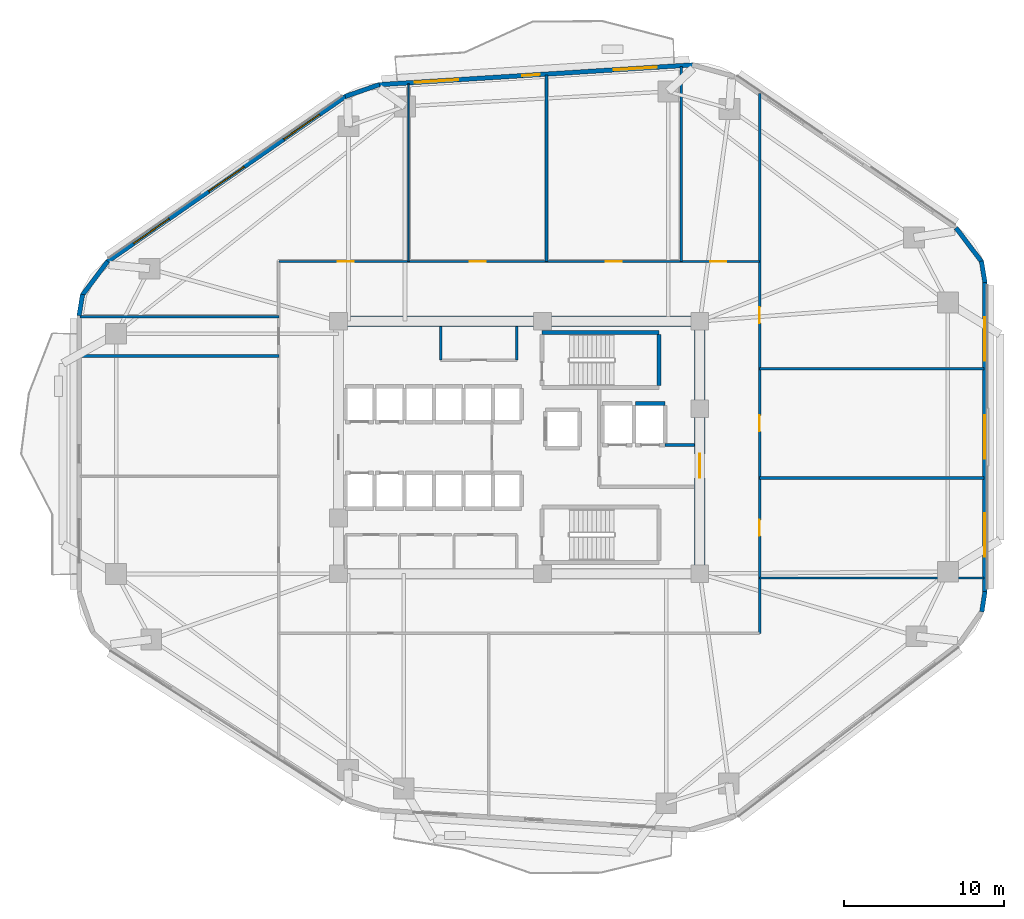
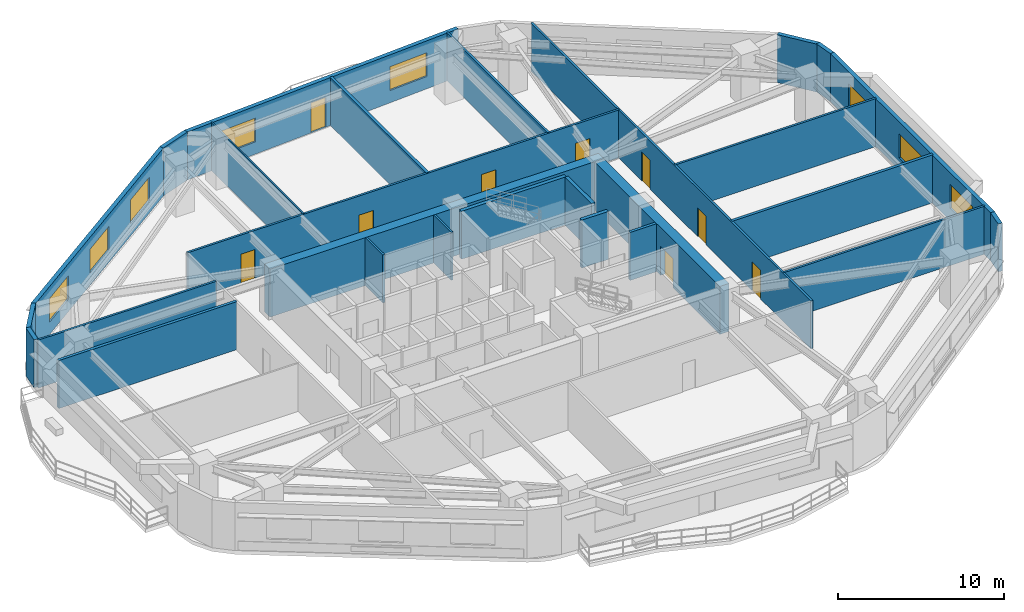
# One storey, part 5 of 9: 27 walls, 9 doors, 8 windows, 17 openings.
"""IFC4 building model written with IfcOpenShell, lengths in metres."""

from ifc_helpers import new_model, si_unit, direction, frame, frame_2d, origin, place, context, subcontext, project, spatial, rectangle, extrude, material, layer, layer_set, type_object, element, fill, save


model = new_model("IFC4")

# Units and contexts
model_context = context("Model", 3, precision=1e-05, world=origin(), true_north=direction((0.0, 1.0)))
body_context = subcontext(model_context, "Body", "Model", "MODEL_VIEW")
ifc_project = project(units=[si_unit("LENGTHUNIT", "METRE"), si_unit("AREAUNIT", "SQUARE_METRE"), si_unit("VOLUMEUNIT", "CUBIC_METRE"), si_unit("PLANEANGLEUNIT", "RADIAN"), si_unit("MASSUNIT", "GRAM", prefix="KILO")], contexts=[model_context])

# Site, building, storey
site_placement = place(None, origin())
site = spatial("IfcSite", under=ifc_project, at=site_placement, CompositionType="ELEMENT")
building_placement = place(site_placement, origin())
building = spatial("IfcBuilding", under=site, at=building_placement, Name="Zulverin Broadcast Headquarters", CompositionType="ELEMENT")
storey_placement = place(building_placement, frame((0.0, 0.0, 51.60009765625)))
storey = spatial("IfcBuildingStorey", under=building, at=storey_placement, Name="L12", CompositionType="ELEMENT", Elevation=51.60009765625)

# Walls
ifc_material_1 = material(Name="Acoustic drywall steel stud", Category="steel")
ifc_layer_1 = layer(ifc_material_1, 0.199951171875, Name="Acoustic drywall steel stud", Category="steel")
ifc_layer_set_1 = layer_set([ifc_layer_1], Name="Acoustic drywall steel stud")
wall_type_1 = type_object("IfcWallType", Name="WL-ACOU-200", PredefinedType="PARTITIONING", material=ifc_layer_set_1)
wall_1_placement = place(storey_placement, frame((38.699951171875, 36.800048828125, 0.0), z_axis=(0.0, 0.0, 1.0), x_axis=(0.0, 1.0, 0.0)))
element("IfcWall", 1, at=wall_1_placement, inside=storey, type_object=wall_type_1, Name="L12 Room Partition Wall RP-03", PredefinedType="PARTITIONING", context=body_context, shape_type="SweptSolid", body=[
    extrude(rectangle(XDim=11.628662109375, YDim=0.199951171875, at=frame_2d((5.814453125, 0.0))), origin(), (0.0, 0.0, 1.0), 3.52490234375),
])
wall_2_placement = place(storey_placement, frame((52.0, 23.300048828125, 0.0), z_axis=(0.0, 0.0, 1.0), x_axis=(1.0, 0.0, 0.0)))
element("IfcWall", 2, at=wall_2_placement, inside=storey, type_object=wall_type_1, Name="L12 Room Partition Wall RP-09", PredefinedType="PARTITIONING", context=body_context, shape_type="SweptSolid", body=[
    extrude(rectangle(XDim=13.9951171875, YDim=0.199951171875, at=frame_2d((6.99755859375, 0.0))), origin(), (0.0, 0.0, 1.0), 3.52490234375),
])
wall_3_placement = place(storey_placement, frame((9.60498046875, 30.89990234375, 0.0), z_axis=(0.0, 0.0, 1.0), x_axis=(1.0, 0.0, 0.0)))
element("IfcWall", 3, at=wall_3_placement, inside=storey, type_object=wall_type_1, Name="L12 Room Partition Wall RP-12", PredefinedType="PARTITIONING", context=body_context, shape_type="SweptSolid", body=[
    extrude(rectangle(XDim=12.39501953125, YDim=0.199951171875, at=frame_2d((6.197509765625, 0.0))), origin(), (0.0, 0.0, 1.0), 3.52490234375),
])
ifc_material_2 = material(Name="Concrete C60/75", Category="concrete")
ifc_layer_2 = layer(ifc_material_2, 0.64990234375, Name="Concrete C60/75", Category="concrete")
ifc_layer_set_2 = layer_set([ifc_layer_2], Name="Concrete C60/75")
wall_type_2 = type_object("IfcWallType", Name="WL-CORE-650", PredefinedType="SHEAR", material=ifc_layer_set_2)
wall_4_placement = place(storey_placement, frame((25.39990234375, 33.074951171875, 0.0), z_axis=(0.0, 0.0, 1.0), x_axis=(1.0, 0.0, 0.0)))
element("IfcWall", 4, at=wall_4_placement, inside=storey, type_object=wall_type_2, Name="L12 Core North Shear Wall", PredefinedType="SHEAR", context=body_context, shape_type="SweptSolid", body=[
    extrude(rectangle(XDim=23.2001953125, YDim=0.64990234375, at=frame_2d((11.60009765625, 0.0))), origin(), (0.0, 0.0, 1.0), 3.52490234375),
])

# Wall, opening, door
wall_5_placement = place(storey_placement, frame((48.27490234375, 17.64990234375, 0.0), z_axis=(0.0, 0.0, 1.0), x_axis=(0.0, 1.0, 0.0)))
wall_5 = element("IfcWall", 5, at=wall_5_placement, inside=storey, type_object=wall_type_2, Name="L12 Core East Shear Wall", PredefinedType="SHEAR", context=body_context, shape_type="SweptSolid", body=[
    extrude(rectangle(XDim=15.10009765625, YDim=0.64990234375, at=frame_2d((7.550048828125, 0.0))), origin(), (0.0, 0.0, 1.0), 3.52490234375),
])
opening_1_placement = place(wall_5_placement, frame((5.64990234375, 0.0, 0.0)))
opening_1 = element("IfcOpeningElement", 6, at=opening_1_placement, cuts=wall_5, Name="Opening D-L12-CE1", PredefinedType="OPENING", context=body_context, shape_type="SweptSolid", body=[
    extrude(rectangle(XDim=1.5, YDim=2.14990234375, at=frame_2d((0.75, 1.074951171875))), frame((0.0, 0.3349609375, 0.0), z_axis=(0.0, -1.0, 0.0), x_axis=(1.0, 0.0, 0.0)), (0.0, 0.0, 1.0), 0.669921875),
])
ifc_material_3 = material(Name="Fire-rated glazed steel frame", Category="steel")
door_type_1 = type_object("IfcDoorType", Name="DR-COR-1500", OperationType="DOUBLE_DOOR_SINGLE_SWING", PredefinedType="DOOR", material=ifc_material_3)
door_1_placement = place(opening_1_placement, origin())
door_1 = element("IfcDoor", 7, at=door_1_placement, inside=storey, type_object=door_type_1, Name="L12 Firefighting Lobby East Corridor Door", OperationType="DOUBLE_DOOR_SINGLE_SWING", OverallHeight=2.14990234375, OverallWidth=1.5, PredefinedType="DOOR", context=body_context, shape_type="SweptSolid", body=[
    extrude(rectangle(XDim=1.5, YDim=2.14990234375, at=frame_2d((0.75, 1.074951171875))), frame((0.0, 0.02490234375, 0.0), z_axis=(0.0, -1.0, 0.0), x_axis=(1.0, 0.0, 0.0)), (0.0, 0.0, 1.0), 0.050048828125),
])
fill(opening_1, door_1)

# Wall, openings, windows
ifc_material_4 = material(Name="Insulated pale-metal clad concrete spandrel C40/50", Category="concrete")
ifc_layer_3 = layer(ifc_material_4, 0.280029296875, Name="Insulated pale-metal clad concrete spandrel C40/50", Category="concrete")
ifc_layer_set_3 = layer_set([ifc_layer_3], Name="Insulated pale-metal clad concrete spandrel C40/50")
wall_type_3 = type_object("IfcWallType", Name="WL-EXT-280", PredefinedType="STANDARD", material=ifc_layer_set_3)
wall_6_placement = place(storey_placement, frame((66.06005859375, 16.183349609375, 0.0), z_axis=(0.0, 0.0, 1.0), x_axis=(0.0, 1.0, 0.0)))
wall_6 = element("IfcWall", 8, at=wall_6_placement, inside=storey, type_object=wall_type_3, Name="L12 Pale-Metal Clad Spandrel Wall 3", PredefinedType="STANDARD", context=body_context, shape_type="SweptSolid", body=[
    extrude(rectangle(XDim=19.3310546875, YDim=0.280029296875, at=frame_2d((9.66552734375, 0.0))), origin(), (0.0, 0.0, 1.0), 3.52490234375),
])
opening_2_placement = place(wall_6_placement, frame((2.205078125, 0.0, 0.89990234375)))
opening_2 = element("IfcOpeningElement", 9, at=opening_2_placement, cuts=wall_6, Name="Opening W-L12-E31", PredefinedType="OPENING", context=body_context, shape_type="SweptSolid", body=[
    extrude(rectangle(XDim=2.699951171875, YDim=1.75, at=frame_2d((1.35009765625, 0.875))), frame((0.0, 0.14990234375, 0.0), z_axis=(0.0, -1.0, 0.0), x_axis=(1.0, 0.0, 0.0)), (0.0, 0.0, 1.0), 0.300048828125),
])
opening_3_placement = place(wall_6_placement, frame((8.3154296875, 0.0, 0.89990234375)))
opening_3 = element("IfcOpeningElement", 10, at=opening_3_placement, cuts=wall_6, Name="Opening W-L12-E32", PredefinedType="OPENING", context=body_context, shape_type="SweptSolid", body=[
    extrude(rectangle(XDim=2.699951171875, YDim=1.75, at=frame_2d((1.35009765625, 0.875))), frame((0.0, 0.14990234375, 0.0), z_axis=(0.0, -1.0, 0.0), x_axis=(1.0, 0.0, 0.0)), (0.0, 0.0, 1.0), 0.300048828125),
])
opening_4_placement = place(wall_6_placement, frame((14.42578125, 0.0, 0.89990234375)))
opening_4 = element("IfcOpeningElement", 11, at=opening_4_placement, cuts=wall_6, Name="Opening W-L12-E33", PredefinedType="OPENING", context=body_context, shape_type="SweptSolid", body=[
    extrude(rectangle(XDim=2.699951171875, YDim=1.75, at=frame_2d((1.35009765625, 0.875))), frame((0.0, 0.14990234375, 0.0), z_axis=(0.0, -1.0, 0.0), x_axis=(1.0, 0.0, 0.0)), (0.0, 0.0, 1.0), 0.300048828125),
])
ifc_material_5 = material(Name="Pale anodized aluminium frame with solar-control low-E double glazing", Category="aluminium")
window_type = type_object("IfcWindowType", Name="WIN-TWR-2700", PartitioningType="SINGLE_PANEL", PredefinedType="WINDOW", material=ifc_material_5)
window_1_placement = place(opening_2_placement, origin())
window_1 = element("IfcWindow", 12, at=window_1_placement, inside=storey, type_object=window_type, Name="L12 Ribbon Glazing Window 3 1", OverallHeight=1.75, OverallWidth=2.699951171875, PartitioningType="SINGLE_PANEL", PredefinedType="WINDOW", context=body_context, shape_type="SweptSolid", body=[
    extrude(rectangle(XDim=2.699951171875, YDim=1.75, at=frame_2d((1.35009765625, 0.875))), frame((0.0, 0.030029296875, 0.0), z_axis=(0.0, -1.0, 0.0), x_axis=(1.0, 0.0, 0.0)), (0.0, 0.0, 1.0), 0.06005859375),
])
fill(opening_2, window_1)
window_2_placement = place(opening_3_placement, origin())
window_2 = element("IfcWindow", 13, at=window_2_placement, inside=storey, type_object=window_type, Name="L12 Ribbon Glazing Window 3 2", OverallHeight=1.75, OverallWidth=2.699951171875, PartitioningType="SINGLE_PANEL", PredefinedType="WINDOW", context=body_context, shape_type="SweptSolid", body=[
    extrude(rectangle(XDim=2.699951171875, YDim=1.75, at=frame_2d((1.35009765625, 0.875))), frame((0.0, 0.030029296875, 0.0), z_axis=(0.0, -1.0, 0.0), x_axis=(1.0, 0.0, 0.0)), (0.0, 0.0, 1.0), 0.06005859375),
])
fill(opening_3, window_2)
window_3_placement = place(opening_4_placement, origin())
window_3 = element("IfcWindow", 14, at=window_3_placement, inside=storey, type_object=window_type, Name="L12 Ribbon Glazing Window 3 3", OverallHeight=1.75, OverallWidth=2.699951171875, PartitioningType="SINGLE_PANEL", PredefinedType="WINDOW", context=body_context, shape_type="SweptSolid", body=[
    extrude(rectangle(XDim=2.699951171875, YDim=1.75, at=frame_2d((1.35009765625, 0.875))), frame((0.0, 0.030029296875, 0.0), z_axis=(0.0, -1.0, 0.0), x_axis=(1.0, 0.0, 0.0)), (0.0, 0.0, 1.0), 0.06005859375),
])
fill(opening_4, window_3)

# Wall, openings, door, windows
wall_7_placement = place(storey_placement, frame((47.831787109375, 49.0693359375, 0.0), z_axis=(0.0, 0.0, 1.0), x_axis=(-0.998017725054, -0.062933460723, 0.0)))
wall_7 = element("IfcWall", 15, at=wall_7_placement, inside=storey, type_object=wall_type_3, Name="L12 Pale-Metal Clad Spandrel Wall 5", PredefinedType="STANDARD", context=body_context, shape_type="SweptSolid", body=[
    extrude(rectangle(XDim=19.62939453125, YDim=0.280029296875, at=frame_2d((9.814697265625, 0.0))), origin(), (0.0, 0.0, 1.0), 3.52490234375),
])
opening_5_placement = place(wall_7_placement, frame((9.564697265625, 0.0, 0.0)))
opening_5 = element("IfcOpeningElement", 16, at=opening_5_placement, cuts=wall_7, Name="Opening D-L12-TR5", PredefinedType="OPENING", context=body_context, shape_type="SweptSolid", body=[
    extrude(rectangle(XDim=1.10009765625, YDim=2.199951171875, at=frame_2d((0.550048828125, 1.10009765625))), frame((0.0, 0.14990234375, 0.0), z_axis=(0.0, -1.0, 0.0), x_axis=(1.0, 0.0, 0.0)), (0.0, 0.0, 1.0), 0.300048828125),
])
opening_6_placement = place(wall_7_placement, frame((2.2548828125, 0.0, 0.89990234375)))
opening_6 = element("IfcOpeningElement", 17, at=opening_6_placement, cuts=wall_7, Name="Opening W-L12-E51", PredefinedType="OPENING", context=body_context, shape_type="SweptSolid", body=[
    extrude(rectangle(XDim=2.699951171875, YDim=1.75, at=frame_2d((1.35009765625, 0.875))), frame((0.0, 0.14990234375, 0.0), z_axis=(0.0, -1.0, 0.0), x_axis=(1.0, 0.0, 0.0)), (0.0, 0.0, 1.0), 0.300048828125),
])
opening_7_placement = place(wall_7_placement, frame((14.674560546875, 0.0, 0.89990234375)))
opening_7 = element("IfcOpeningElement", 18, at=opening_7_placement, cuts=wall_7, Name="Opening W-L12-E52", PredefinedType="OPENING", context=body_context, shape_type="SweptSolid", body=[
    extrude(rectangle(XDim=2.699951171875, YDim=1.75, at=frame_2d((1.35009765625, 0.875))), frame((0.0, 0.14990234375, 0.0), z_axis=(0.0, -1.0, 0.0), x_axis=(1.0, 0.0, 0.0)), (0.0, 0.0, 1.0), 0.300048828125),
])
ifc_material_6 = material(Name="Thermally broken aluminium glazed", Category="aluminium")
door_type_2 = type_object("IfcDoorType", Name="DR-TERR-1100", OperationType="SINGLE_SWING_RIGHT", PredefinedType="DOOR", material=ifc_material_6)
door_2_placement = place(opening_5_placement, origin())
door_2 = element("IfcDoor", 19, at=door_2_placement, inside=storey, type_object=door_type_2, Name="L12 Planted Terrace Glazed Access Door 5", OperationType="SINGLE_SWING_RIGHT", OverallHeight=2.199951171875, OverallWidth=1.10009765625, PredefinedType="DOOR", context=body_context, shape_type="SweptSolid", body=[
    extrude(rectangle(XDim=1.10009765625, YDim=2.199951171875, at=frame_2d((0.550048828125, 1.10009765625))), frame((0.0, 0.02490234375, 0.0), z_axis=(0.0, -1.0, 0.0), x_axis=(1.0, 0.0, 0.0)), (0.0, 0.0, 1.0), 0.050048828125),
])
fill(opening_5, door_2)
window_4_placement = place(opening_6_placement, origin())
window_4 = element("IfcWindow", 20, at=window_4_placement, inside=storey, type_object=window_type, Name="L12 Ribbon Glazing Window 5 1", OverallHeight=1.75, OverallWidth=2.699951171875, PartitioningType="SINGLE_PANEL", PredefinedType="WINDOW", context=body_context, shape_type="SweptSolid", body=[
    extrude(rectangle(XDim=2.699951171875, YDim=1.75, at=frame_2d((1.35009765625, 0.875))), frame((0.0, 0.030029296875, 0.0), z_axis=(0.0, -1.0, 0.0), x_axis=(1.0, 0.0, 0.0)), (0.0, 0.0, 1.0), 0.06005859375),
])
fill(opening_6, window_4)
window_5_placement = place(opening_7_placement, origin())
window_5 = element("IfcWindow", 21, at=window_5_placement, inside=storey, type_object=window_type, Name="L12 Ribbon Glazing Window 5 2", OverallHeight=1.75, OverallWidth=2.699951171875, PartitioningType="SINGLE_PANEL", PredefinedType="WINDOW", context=body_context, shape_type="SweptSolid", body=[
    extrude(rectangle(XDim=2.699951171875, YDim=1.75, at=frame_2d((1.35009765625, 0.875))), frame((0.0, 0.030029296875, 0.0), z_axis=(0.0, -1.0, 0.0), x_axis=(1.0, 0.0, 0.0)), (0.0, 0.0, 1.0), 0.06005859375),
])
fill(opening_7, window_5)

# Wall, openings, windows
wall_8_placement = place(storey_placement, frame((26.181884765625, 47.11767578125, 0.0), z_axis=(0.0, 0.0, 1.0), x_axis=(-0.821547956627, -0.570139417127, 0.0)))
wall_8 = element("IfcWall", 22, at=wall_8_placement, inside=storey, type_object=wall_type_3, Name="L12 Pale-Metal Clad Spandrel Wall 6", PredefinedType="STANDARD", context=body_context, shape_type="SweptSolid", body=[
    extrude(rectangle(XDim=18.13232421875, YDim=0.280029296875, at=frame_2d((9.066162109375, 0.0))), origin(), (0.0, 0.0, 1.0), 3.52490234375),
])
opening_8_placement = place(wall_8_placement, frame((2.00537109375, 0.0, 0.89990234375)))
opening_8 = element("IfcOpeningElement", 23, at=opening_8_placement, cuts=wall_8, Name="Opening W-L12-E61", PredefinedType="OPENING", context=body_context, shape_type="SweptSolid", body=[
    extrude(rectangle(XDim=2.699951171875, YDim=1.75, at=frame_2d((1.35009765625, 0.875))), frame((0.0, 0.14990234375, 0.0), z_axis=(0.0, -1.0, 0.0), x_axis=(1.0, 0.0, 0.0)), (0.0, 0.0, 1.0), 0.300048828125),
])
opening_9_placement = place(wall_8_placement, frame((7.716064453125, 0.0, 0.89990234375)))
opening_9 = element("IfcOpeningElement", 24, at=opening_9_placement, cuts=wall_8, Name="Opening W-L12-E62", PredefinedType="OPENING", context=body_context, shape_type="SweptSolid", body=[
    extrude(rectangle(XDim=2.699951171875, YDim=1.75, at=frame_2d((1.35009765625, 0.875))), frame((0.0, 0.14990234375, 0.0), z_axis=(0.0, -1.0, 0.0), x_axis=(1.0, 0.0, 0.0)), (0.0, 0.0, 1.0), 0.300048828125),
])
opening_10_placement = place(wall_8_placement, frame((13.427001953125, 0.0, 0.89990234375)))
opening_10 = element("IfcOpeningElement", 25, at=opening_10_placement, cuts=wall_8, Name="Opening W-L12-E63", PredefinedType="OPENING", context=body_context, shape_type="SweptSolid", body=[
    extrude(rectangle(XDim=2.699951171875, YDim=1.75, at=frame_2d((1.35009765625, 0.875))), frame((0.0, 0.14990234375, 0.0), z_axis=(0.0, -1.0, 0.0), x_axis=(1.0, 0.0, 0.0)), (0.0, 0.0, 1.0), 0.300048828125),
])
window_6_placement = place(opening_8_placement, origin())
window_6 = element("IfcWindow", 26, at=window_6_placement, inside=storey, type_object=window_type, Name="L12 Ribbon Glazing Window 6 1", OverallHeight=1.75, OverallWidth=2.699951171875, PartitioningType="SINGLE_PANEL", PredefinedType="WINDOW", context=body_context, shape_type="SweptSolid", body=[
    extrude(rectangle(XDim=2.699951171875, YDim=1.75, at=frame_2d((1.35009765625, 0.875))), frame((0.0, 0.030029296875, 0.0), z_axis=(0.0, -1.0, 0.0), x_axis=(1.0, 0.0, 0.0)), (0.0, 0.0, 1.0), 0.06005859375),
])
fill(opening_8, window_6)
window_7_placement = place(opening_9_placement, origin())
window_7 = element("IfcWindow", 27, at=window_7_placement, inside=storey, type_object=window_type, Name="L12 Ribbon Glazing Window 6 2", OverallHeight=1.75, OverallWidth=2.699951171875, PartitioningType="SINGLE_PANEL", PredefinedType="WINDOW", context=body_context, shape_type="SweptSolid", body=[
    extrude(rectangle(XDim=2.699951171875, YDim=1.75, at=frame_2d((1.35009765625, 0.875))), frame((0.0, 0.030029296875, 0.0), z_axis=(0.0, -1.0, 0.0), x_axis=(1.0, 0.0, 0.0)), (0.0, 0.0, 1.0), 0.06005859375),
])
fill(opening_9, window_7)
window_8_placement = place(opening_10_placement, origin())
window_8 = element("IfcWindow", 28, at=window_8_placement, inside=storey, type_object=window_type, Name="L12 Ribbon Glazing Window 6 3", OverallHeight=1.75, OverallWidth=2.699951171875, PartitioningType="SINGLE_PANEL", PredefinedType="WINDOW", context=body_context, shape_type="SweptSolid", body=[
    extrude(rectangle(XDim=2.699951171875, YDim=1.75, at=frame_2d((1.35009765625, 0.875))), frame((0.0, 0.030029296875, 0.0), z_axis=(0.0, -1.0, 0.0), x_axis=(1.0, 0.0, 0.0)), (0.0, 0.0, 1.0), 0.06005859375),
])
fill(opening_10, window_8)

# Walls
wall_9_placement = place(storey_placement, frame((65.867431640625, 14.942626953125, 0.0), z_axis=(0.0, 0.0, 1.0), x_axis=(0.152014078361, 0.988378328364, 0.0)))
element("IfcWall", 29, at=wall_9_placement, inside=storey, type_object=wall_type_3, Name="L12 Wind-Shaped Corner Spandrel Wall 2-2", PredefinedType="STANDARD", context=body_context, shape_type="SweptSolid", body=[
    extrude(rectangle(XDim=1.27685546875, YDim=0.280029296875, at=frame_2d((0.638427734375, 0.0))), origin(), (0.0, 0.0, 1.0), 3.52490234375),
])
wall_10_placement = place(storey_placement, frame((66.061767578125, 35.491943359375, 0.0), z_axis=(0.0, 0.0, 1.0), x_axis=(-0.161182073582, 0.986924687682, 0.0)))
element("IfcWall", 30, at=wall_10_placement, inside=storey, type_object=wall_type_3, Name="L12 Wind-Shaped Corner Spandrel Wall 3-1", PredefinedType="STANDARD", context=body_context, shape_type="SweptSolid", body=[
    extrude(rectangle(XDim=1.354248046875, YDim=0.280029296875, at=frame_2d((0.67724609375, 0.0))), origin(), (0.0, 0.0, 1.0), 3.52490234375),
])
wall_11_placement = place(storey_placement, frame((65.8701171875, 36.7666015625, 0.0), z_axis=(0.0, 0.0, 1.0), x_axis=(-0.603370463754, 0.797461023166, 0.0)))
element("IfcWall", 31, at=wall_11_placement, inside=storey, type_object=wall_type_3, Name="L12 Wind-Shaped Corner Spandrel Wall 3-2", PredefinedType="STANDARD", context=body_context, shape_type="SweptSolid", body=[
    extrude(rectangle(XDim=2.6728515625, YDim=0.280029296875, at=frame_2d((1.33642578125, 0.0))), origin(), (0.0, 0.0, 1.0), 3.52490234375),
])
wall_12_placement = place(storey_placement, frame((28.2783203125, 47.841552734375, 0.0), z_axis=(0.0, 0.0, 1.0), x_axis=(-0.9444559001, -0.328638179106, 0.0)))
element("IfcWall", 32, at=wall_12_placement, inside=storey, type_object=wall_type_3, Name="L12 Wind-Shaped Corner Spandrel Wall 5-1", PredefinedType="STANDARD", context=body_context, shape_type="SweptSolid", body=[
    extrude(rectangle(XDim=2.25537109375, YDim=0.280029296875, at=frame_2d((1.127685546875, 0.0))), origin(), (0.0, 0.0, 1.0), 3.52490234375),
])
wall_13_placement = place(storey_placement, frame((11.317626953125, 36.81103515625, 0.0), z_axis=(0.0, 0.0, 1.0), x_axis=(-0.599455152629, -0.800408345775, 0.0)))
element("IfcWall", 33, at=wall_13_placement, inside=storey, type_object=wall_type_3, Name="L12 Wind-Shaped Corner Spandrel Wall 6-1", PredefinedType="STANDARD", context=body_context, shape_type="SweptSolid", body=[
    extrude(rectangle(XDim=2.6533203125, YDim=0.280029296875, at=frame_2d((1.32666015625, 0.0))), origin(), (0.0, 0.0, 1.0), 3.52490234375),
])
wall_14_placement = place(storey_placement, frame((9.753173828125, 34.748779296875, 0.0), z_axis=(0.0, 0.0, 1.0), x_axis=(-0.160037671962, -0.987110907423, 0.0)))
element("IfcWall", 34, at=wall_14_placement, inside=storey, type_object=wall_type_3, Name="L12 Wind-Shaped Corner Spandrel Wall 6-2", PredefinedType="STANDARD", context=body_context, shape_type="SweptSolid", body=[
    extrude(rectangle(XDim=1.343994140625, YDim=0.280029296875, at=frame_2d((0.671875, 0.0))), origin(), (0.0, 0.0, 1.0), 3.52490234375),
])
ifc_material_7 = material(Name="Concrete C40/50", Category="concrete")
ifc_layer_4 = layer(ifc_material_7, 0.199951171875, Name="Concrete C40/50", Category="concrete")
ifc_layer_set_4 = layer_set([ifc_layer_4], Name="Concrete C40/50")
wall_type_4 = type_object("IfcWallType", Name="WL-FFL-200", PredefinedType="SOLIDWALL", material=ifc_layer_set_4)
wall_15_placement = place(storey_placement, frame((46.10009765625, 25.35009765625, 0.0), z_axis=(0.0, 0.0, 1.0), x_axis=(1.0, 0.0, 0.0)))
element("IfcWall", 35, at=wall_15_placement, inside=storey, type_object=wall_type_4, Name="L12 Firefighting Lift Lobby North Wall", PredefinedType="SOLIDWALL", context=body_context, shape_type="SweptSolid", body=[
    extrude(rectangle(XDim=1.849853515625, YDim=0.199951171875, at=frame_2d((0.9248046875, 0.0))), origin(), (0.0, 0.0, 1.0), 3.52490234375),
])
ifc_material_8 = material(Name="Fire-rated acoustic laminated glass screen", Category="glass")
ifc_layer_5 = layer(ifc_material_8, 0.10009765625, Name="Fire-rated acoustic laminated glass screen", Category="glass")
ifc_layer_set_5 = layer_set([ifc_layer_5], Name="Fire-rated acoustic laminated glass screen")
wall_type_5 = type_object("IfcWallType", Name="WL-GLAZ-100", PredefinedType="PARTITIONING", material=ifc_layer_set_5)
wall_16_placement = place(storey_placement, frame((30.10009765625, 36.800048828125, 0.0), z_axis=(0.0, 0.0, 1.0), x_axis=(0.0, 1.0, 0.0)))
element("IfcWall", 36, at=wall_16_placement, inside=storey, type_object=wall_type_5, Name="L12 Room Partition Wall RP-05", PredefinedType="PARTITIONING", context=body_context, shape_type="SweptSolid", body=[
    extrude(rectangle(XDim=11.08642578125, YDim=0.10009765625, at=frame_2d((5.543212890625, 0.0))), origin(), (0.0, 0.0, 1.0), 3.52490234375),
])
ifc_material_9 = material(Name="Fire-rated gypsum stud partition", Category="gypsum")
ifc_layer_6 = layer(ifc_material_9, 0.14990234375, Name="Fire-rated gypsum stud partition", Category="gypsum")
ifc_layer_set_6 = layer_set([ifc_layer_6], Name="Fire-rated gypsum stud partition")
wall_type_6 = type_object("IfcWallType", Name="WL-PART-150", PredefinedType="PARTITIONING", material=ifc_layer_set_6)
for number, where, z_axis, x_axis, name in (
    (37, (32.10009765625, 30.64990234375, 0.0), (0.0, 0.0, 1.0), (0.0, 1.0, 0.0), "L12 Core Accessible WC & Electrical Riser West Wall"),
    (38, (36.85009765625, 30.64990234375, 0.0), (0.0, 0.0, 1.0), (0.0, 1.0, 0.0), "L12 Core Accessible WC & Electrical Riser East Wall"),
):
    element("IfcWall", number, at=place(storey_placement, frame(where, z_axis=z_axis, x_axis=x_axis)), inside=storey, type_object=wall_type_6, Name=name, PredefinedType="PARTITIONING", context=body_context, shape_type="SweptSolid", body=[
        extrude(rectangle(XDim=2.10009765625, YDim=0.14990234375, at=frame_2d((1.050048828125, 0.0))), origin(), (0.0, 0.0, 1.0), 3.52490234375),
    ])

# Wall, openings, doors
wall_17_placement = place(storey_placement, frame((52.0, 13.60009765625, 0.0), z_axis=(0.0, 0.0, 1.0), x_axis=(0.0, 1.0, 0.0)))
wall_17 = element("IfcWall", 39, at=wall_17_placement, inside=storey, type_object=wall_type_6, Name="L12 Gallery Partition Wall CG-01", PredefinedType="PARTITIONING", context=body_context, shape_type="SweptSolid", body=[
    extrude(rectangle(XDim=33.691162109375, YDim=0.14990234375, at=frame_2d((16.845703125, 0.0))), origin(), (0.0, 0.0, 1.0), 3.52490234375),
])
opening_11_placement = place(wall_17_placement, frame((6.074951171875, 0.0, 0.0)))
opening_11 = element("IfcOpeningElement", 40, at=opening_11_placement, cuts=wall_17, Name="Opening D-L12-10", PredefinedType="OPENING", context=body_context, shape_type="SweptSolid", body=[
    extrude(rectangle(XDim=1.0, YDim=2.1201171875, at=frame_2d((0.5, 1.06005859375))), frame((0.0, 0.0849609375, 0.0), z_axis=(0.0, -1.0, 0.0), x_axis=(1.0, 0.0, 0.0)), (0.0, 0.0, 1.0), 0.169921875),
])
opening_12_placement = place(wall_17_placement, frame((12.60009765625, 0.0, 0.0)))
opening_12 = element("IfcOpeningElement", 41, at=opening_12_placement, cuts=wall_17, Name="Opening D-L12-11", PredefinedType="OPENING", context=body_context, shape_type="SweptSolid", body=[
    extrude(rectangle(XDim=1.0, YDim=2.1201171875, at=frame_2d((0.5, 1.06005859375))), frame((0.0, 0.0849609375, 0.0), z_axis=(0.0, -1.0, 0.0), x_axis=(1.0, 0.0, 0.0)), (0.0, 0.0, 1.0), 0.169921875),
])
opening_13_placement = place(wall_17_placement, frame((19.35009765625, 0.0, 0.0)))
opening_13 = element("IfcOpeningElement", 42, at=opening_13_placement, cuts=wall_17, Name="Opening D-L12-12", PredefinedType="OPENING", context=body_context, shape_type="SweptSolid", body=[
    extrude(rectangle(XDim=1.0, YDim=2.1201171875, at=frame_2d((0.5, 1.06005859375))), frame((0.0, 0.0849609375, 0.0), z_axis=(0.0, -1.0, 0.0), x_axis=(1.0, 0.0, 0.0)), (0.0, 0.0, 1.0), 0.169921875),
])
ifc_material_10 = material(Name="Hardwood veneer acoustic leaf", Category="wood")
door_type_3 = type_object("IfcDoorType", Name="DR-OFF-1000", OperationType="SINGLE_SWING_LEFT", PredefinedType="DOOR", material=ifc_material_10)
door_3_placement = place(opening_11_placement, origin())
door_3 = element("IfcDoor", 43, at=door_3_placement, inside=storey, type_object=door_type_3, Name="L12 Spectrum Licensing Office Door", OperationType="SINGLE_SWING_LEFT", OverallHeight=2.1201171875, OverallWidth=1.0, PredefinedType="DOOR", context=body_context, shape_type="SweptSolid", body=[
    extrude(rectangle(XDim=1.0, YDim=2.1201171875, at=frame_2d((0.5, 1.06005859375))), frame((0.0, 0.02490234375, 0.0), z_axis=(0.0, -1.0, 0.0), x_axis=(1.0, 0.0, 0.0)), (0.0, 0.0, 1.0), 0.050048828125),
])
fill(opening_11, door_3)
door_4_placement = place(opening_12_placement, origin())
door_4 = element("IfcDoor", 44, at=door_4_placement, inside=storey, type_object=door_type_3, Name="L12 Broadcast Standards Office Door", OperationType="SINGLE_SWING_RIGHT", OverallHeight=2.1201171875, OverallWidth=1.0, PredefinedType="DOOR", context=body_context, shape_type="SweptSolid", body=[
    extrude(rectangle(XDim=1.0, YDim=2.1201171875, at=frame_2d((0.5, 1.06005859375))), frame((0.0, 0.02490234375, 0.0), z_axis=(0.0, -1.0, 0.0), x_axis=(1.0, 0.0, 0.0)), (0.0, 0.0, 1.0), 0.050048828125),
])
fill(opening_12, door_4)
door_5_placement = place(opening_13_placement, origin())
door_5 = element("IfcDoor", 45, at=door_5_placement, inside=storey, type_object=door_type_3, Name="L12 Transmission Engineering Office Door", OperationType="SINGLE_SWING_LEFT", OverallHeight=2.1201171875, OverallWidth=1.0, PredefinedType="DOOR", context=body_context, shape_type="SweptSolid", body=[
    extrude(rectangle(XDim=1.0, YDim=2.1201171875, at=frame_2d((0.5, 1.06005859375))), frame((0.0, 0.02490234375, 0.0), z_axis=(0.0, -1.0, 0.0), x_axis=(1.0, 0.0, 0.0)), (0.0, 0.0, 1.0), 0.050048828125),
])
fill(opening_13, door_5)

# Walls
wall_18_placement = place(storey_placement, frame((47.10009765625, 36.800048828125, 0.0), z_axis=(0.0, 0.0, 1.0), x_axis=(0.0, 1.0, 0.0)))
element("IfcWall", 46, at=wall_18_placement, inside=storey, type_object=wall_type_6, Name="L12 Room Partition Wall RP-02", PredefinedType="PARTITIONING", context=body_context, shape_type="SweptSolid", body=[
    extrude(rectangle(XDim=12.158447265625, YDim=0.14990234375, at=frame_2d((6.0791015625, 0.0))), origin(), (0.0, 0.0, 1.0), 3.52490234375),
])
for number, where, z_axis, x_axis, name in (
    (47, (52.0, 17.050048828125, 0.0), (0.0, 0.0, 1.0), (1.0, 0.0, 0.0), "L12 Room Partition Wall RP-08"),
    (48, (52.0, 30.10009765625, 0.0), (0.0, 0.0, 1.0), (1.0, 0.0, 0.0), "L12 Room Partition Wall RP-11"),
):
    element("IfcWall", number, at=place(storey_placement, frame(where, z_axis=z_axis, x_axis=x_axis)), inside=storey, type_object=wall_type_6, Name=name, PredefinedType="PARTITIONING", context=body_context, shape_type="SweptSolid", body=[
        extrude(rectangle(XDim=13.9951171875, YDim=0.14990234375, at=frame_2d((6.99755859375, 0.0))), origin(), (0.0, 0.0, 1.0), 3.52490234375),
    ])
wall_19_placement = place(storey_placement, frame((9.60498046875, 33.35009765625, 0.0), z_axis=(0.0, 0.0, 1.0), x_axis=(1.0, 0.0, 0.0)))
element("IfcWall", 49, at=wall_19_placement, inside=storey, type_object=wall_type_6, Name="L12 Room Partition Wall RP-13", PredefinedType="PARTITIONING", context=body_context, shape_type="SweptSolid", body=[
    extrude(rectangle(XDim=12.39501953125, YDim=0.14990234375, at=frame_2d((6.197509765625, 0.0))), origin(), (0.0, 0.0, 1.0), 3.52490234375),
])

# Wall, openings, doors
wall_20_placement = place(storey_placement, frame((22.0, 36.800048828125, 0.0), z_axis=(0.0, 0.0, 1.0), x_axis=(1.0, 0.0, 0.0)))
wall_20 = element("IfcWall", 50, at=wall_20_placement, inside=storey, type_object=wall_type_6, Name="L12 Gallery Partition Wall CG-14", PredefinedType="PARTITIONING", context=body_context, shape_type="SweptSolid", body=[
    extrude(rectangle(XDim=30.0, YDim=0.14990234375, at=frame_2d((15.0, 0.0))), origin(), (0.0, 0.0, 1.0), 3.52490234375),
])
opening_14_placement = place(wall_20_placement, frame((3.669921875, 0.0, 0.0)))
opening_14 = element("IfcOpeningElement", 51, at=opening_14_placement, cuts=wall_20, Name="Opening D-L12-01", PredefinedType="OPENING", context=body_context, shape_type="SweptSolid", body=[
    extrude(rectangle(XDim=1.0, YDim=2.1201171875, at=frame_2d((0.5, 1.06005859375))), frame((0.0, 0.0849609375, 0.0), z_axis=(0.0, -1.0, 0.0), x_axis=(1.0, 0.0, 0.0)), (0.0, 0.0, 1.0), 0.169921875),
])
opening_15_placement = place(wall_20_placement, frame((11.89990234375, 0.0, 0.0)))
opening_15 = element("IfcOpeningElement", 52, at=opening_15_placement, cuts=wall_20, Name="Opening D-L12-02", PredefinedType="OPENING", context=body_context, shape_type="SweptSolid", body=[
    extrude(rectangle(XDim=1.0, YDim=2.1201171875, at=frame_2d((0.5, 1.06005859375))), frame((0.0, 0.0849609375, 0.0), z_axis=(0.0, -1.0, 0.0), x_axis=(1.0, 0.0, 0.0)), (0.0, 0.0, 1.0), 0.169921875),
])
opening_16_placement = place(wall_20_placement, frame((20.39990234375, 0.0, 0.0)))
opening_16 = element("IfcOpeningElement", 53, at=opening_16_placement, cuts=wall_20, Name="Opening D-L12-03", PredefinedType="OPENING", context=body_context, shape_type="SweptSolid", body=[
    extrude(rectangle(XDim=1.0, YDim=2.1201171875, at=frame_2d((0.5, 1.06005859375))), frame((0.0, 0.0849609375, 0.0), z_axis=(0.0, -1.0, 0.0), x_axis=(1.0, 0.0, 0.0)), (0.0, 0.0, 1.0), 0.169921875),
])
opening_17_placement = place(wall_20_placement, frame((26.929931640625, 0.0, 0.0)))
opening_17 = element("IfcOpeningElement", 54, at=opening_17_placement, cuts=wall_20, Name="Opening D-L12-04", PredefinedType="OPENING", context=body_context, shape_type="SweptSolid", body=[
    extrude(rectangle(XDim=1.0, YDim=2.1201171875, at=frame_2d((0.5, 1.06005859375))), frame((0.0, 0.0849609375, 0.0), z_axis=(0.0, -1.0, 0.0), x_axis=(1.0, 0.0, 0.0)), (0.0, 0.0, 1.0), 0.169921875),
])
door_6_placement = place(opening_14_placement, origin())
door_6 = element("IfcDoor", 55, at=door_6_placement, inside=storey, type_object=door_type_3, Name="L12 Satellite Downlink Office Door", OperationType="SINGLE_SWING_RIGHT", OverallHeight=2.1201171875, OverallWidth=1.0, PredefinedType="DOOR", context=body_context, shape_type="SweptSolid", body=[
    extrude(rectangle(XDim=1.0, YDim=2.1201171875, at=frame_2d((0.5, 1.06005859375))), frame((0.0, 0.02490234375, 0.0), z_axis=(0.0, -1.0, 0.0), x_axis=(1.0, 0.0, 0.0)), (0.0, 0.0, 1.0), 0.050048828125),
])
fill(opening_14, door_6)
door_7_placement = place(opening_15_placement, origin())
door_7 = element("IfcDoor", 56, at=door_7_placement, inside=storey, type_object=door_type_3, Name="L12 Spectrum Licensing Office Door", OperationType="SINGLE_SWING_LEFT", OverallHeight=2.1201171875, OverallWidth=1.0, PredefinedType="DOOR", context=body_context, shape_type="SweptSolid", body=[
    extrude(rectangle(XDim=1.0, YDim=2.1201171875, at=frame_2d((0.5, 1.06005859375))), frame((0.0, 0.02490234375, 0.0), z_axis=(0.0, -1.0, 0.0), x_axis=(1.0, 0.0, 0.0)), (0.0, 0.0, 1.0), 0.050048828125),
])
fill(opening_15, door_7)
door_8_placement = place(opening_16_placement, origin())
door_8 = element("IfcDoor", 57, at=door_8_placement, inside=storey, type_object=door_type_3, Name="L12 Broadcast Standards Office Door", OperationType="SINGLE_SWING_RIGHT", OverallHeight=2.1201171875, OverallWidth=1.0, PredefinedType="DOOR", context=body_context, shape_type="SweptSolid", body=[
    extrude(rectangle(XDim=1.0, YDim=2.1201171875, at=frame_2d((0.5, 1.06005859375))), frame((0.0, 0.02490234375, 0.0), z_axis=(0.0, -1.0, 0.0), x_axis=(1.0, 0.0, 0.0)), (0.0, 0.0, 1.0), 0.050048828125),
])
fill(opening_16, door_8)
door_9_placement = place(opening_17_placement, origin())
door_9 = element("IfcDoor", 58, at=door_9_placement, inside=storey, type_object=door_type_3, Name="L12 Transmission Engineering Office Door", OperationType="SINGLE_SWING_LEFT", OverallHeight=2.1201171875, OverallWidth=1.0, PredefinedType="DOOR", context=body_context, shape_type="SweptSolid", body=[
    extrude(rectangle(XDim=1.0, YDim=2.1201171875, at=frame_2d((0.5, 1.06005859375))), frame((0.0, 0.02490234375, 0.0), z_axis=(0.0, -1.0, 0.0), x_axis=(1.0, 0.0, 0.0)), (0.0, 0.0, 1.0), 0.050048828125),
])
fill(opening_17, door_9)

# Walls
ifc_material_11 = material(Name="Concrete C50/60", Category="concrete")
ifc_layer_7 = layer(ifc_material_11, 0.25, Name="Concrete C50/60", Category="concrete")
ifc_layer_set_7 = layer_set([ifc_layer_7], Name="Concrete C50/60")
wall_type_7 = type_object("IfcWallType", Name="WL-SHAFT-250", PredefinedType="SHEAR", material=ifc_layer_set_7)
wall_21_placement = place(storey_placement, frame((38.425048828125, 32.375, 0.0), z_axis=(0.0, 0.0, 1.0), x_axis=(1.0, 0.0, 0.0)))
element("IfcWall", 59, at=wall_21_placement, inside=storey, type_object=wall_type_7, Name="L12 ST-1 Enclosure Wall N", PredefinedType="SHEAR", context=body_context, shape_type="SweptSolid", body=[
    extrude(rectangle(XDim=7.300048828125, YDim=0.25, at=frame_2d((3.64990234375, 0.0))), origin(), (0.0, 0.0, 1.0), 3.52490234375),
])
wall_22_placement = place(storey_placement, frame((45.72509765625, 29.050048828125, 0.0), z_axis=(0.0, 0.0, 1.0), x_axis=(0.0, 1.0, 0.0)))
element("IfcWall", 60, at=wall_22_placement, inside=storey, type_object=wall_type_7, Name="L12 ST-1 Enclosure Wall E", PredefinedType="SHEAR", context=body_context, shape_type="SweptSolid", body=[
    extrude(rectangle(XDim=3.199951171875, YDim=0.25, at=frame_2d((1.60009765625, 0.0))), origin(), (0.0, 0.0, 1.0), 3.52490234375),
])
wall_23_placement = place(storey_placement, frame((44.25, 27.949951171875, 0.0), z_axis=(0.0, 0.0, 1.0), x_axis=(1.0, 0.0, 0.0)))
element("IfcWall", 61, at=wall_23_placement, inside=storey, type_object=wall_type_7, Name="L12 Lift FFL-2 Shaft Wall N", PredefinedType="SHEAR", context=body_context, shape_type="SweptSolid", body=[
    extrude(rectangle(XDim=1.85009765625, YDim=0.25, at=frame_2d((0.925048828125, 0.0))), origin(), (0.0, 0.0, 1.0), 3.52490234375),
])

save(model, "model.ifc")
